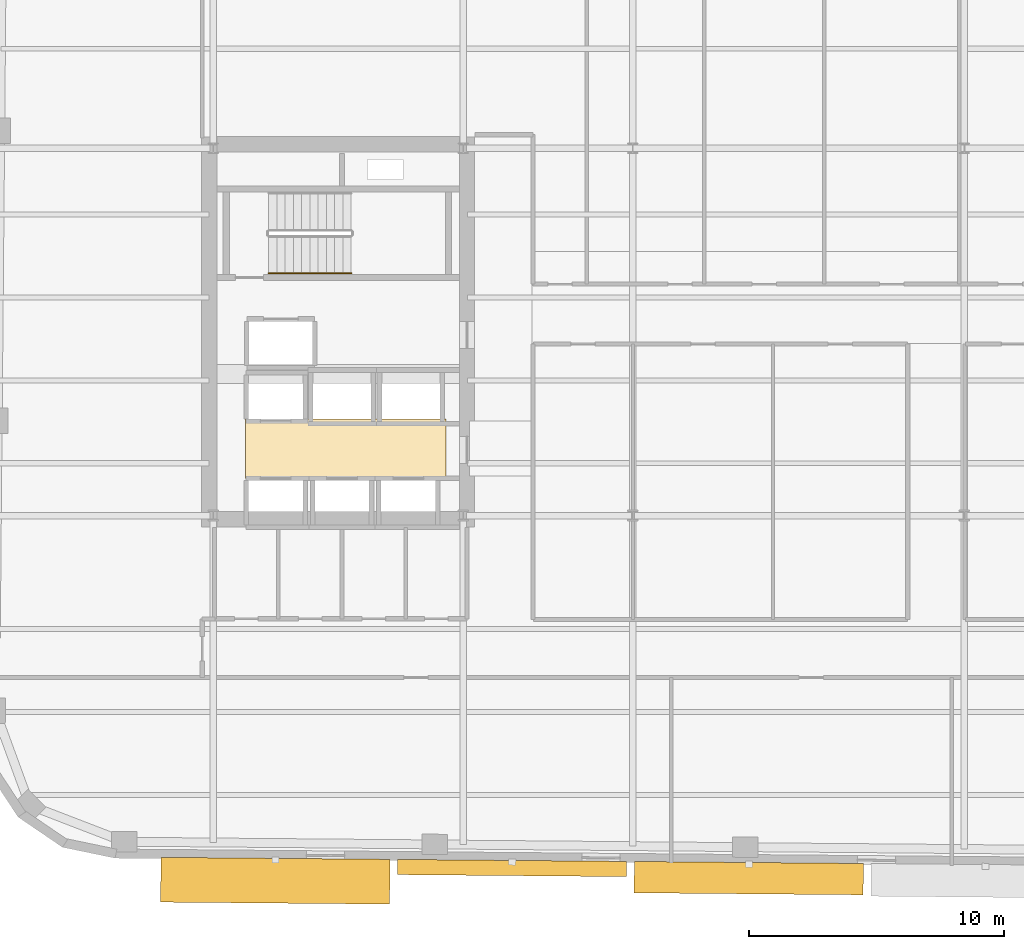
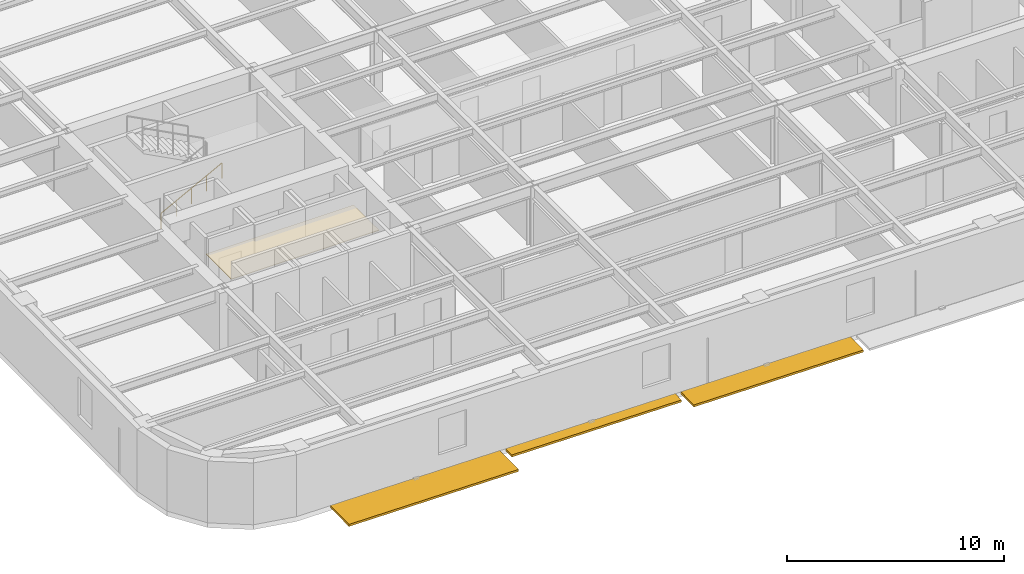
# One storey, part 8 of 11: 3 shading devices, 1 covering, 1 railing.
"""IFC4 building model written with IfcOpenShell, lengths in metres."""

from ifc_helpers import new_model, si_unit, direction, frame, origin, origin_2d, place, context, subcontext, project, spatial, polyline, rectangle, circle, outline, extrude, material, layer, layer_set, type_object, element, save


model = new_model("IFC4")

# Units and contexts
model_context = context("Model", 3, precision=1e-05, world=origin(), true_north=direction((0.0, 1.0)))
body_context = subcontext(model_context, "Body", "Model", "MODEL_VIEW")
ifc_project = project(units=[si_unit("LENGTHUNIT", "METRE"), si_unit("AREAUNIT", "SQUARE_METRE"), si_unit("VOLUMEUNIT", "CUBIC_METRE"), si_unit("PLANEANGLEUNIT", "RADIAN"), si_unit("MASSUNIT", "GRAM", prefix="KILO")], contexts=[model_context])

# Site, building, storey
site_placement = place(None, origin())
site = spatial("IfcSite", under=ifc_project, at=site_placement, CompositionType="ELEMENT")
building_placement = place(site_placement, origin())
building = spatial("IfcBuilding", under=site, at=building_placement, Name="Kolvaren Arena Tower", CompositionType="ELEMENT")
storey_placement = place(building_placement, frame((0.0, 0.0, 184.699951171875)))
storey = spatial("IfcBuildingStorey", under=building, at=storey_placement, Name="L44", CompositionType="ELEMENT", Elevation=184.699951171875)

# Covering
ifc_material_1 = material(Name="Moisture-resistant gypsum ceiling", Category="gypsum")
ifc_layer = layer(ifc_material_1, 0.030029296875)
ifc_layer_set = layer_set([ifc_layer], Name="Moisture-resistant gypsum ceiling")
covering_type = type_object("IfcCoveringType", Name="CEIL-GYP-1", PredefinedType="CEILING", material=ifc_layer_set)
covering_placement = place(storey_placement, frame((0.0, 0.0, 2.52001953125)))
element("IfcCovering", 1, at=covering_placement, inside=storey, type_object=covering_type, Name="Suspended Ceiling (L44)", PredefinedType="CEILING", context=body_context, shape_type="SweptSolid", body=[
    extrude(outline(polyline([(15.820068359375, 20.89990234375), (15.820068359375, 23.239990234375), (23.679931640625, 23.239990234375), (23.679931640625, 20.89990234375), (15.820068359375, 20.89990234375)])), origin(), (0.0, 0.0, 1.0), 0.030029296875),
])

# Railing
ifc_material_2 = material(Name="Brushed stainless steel handrail", Category="steel")
railing_type = type_object("IfcRailingType", Name="HRAIL-900", PredefinedType="HANDRAIL", material=ifc_material_2)
railing_placement = place(storey_placement, frame((16.719970703125, 28.949951171875, 0.17041015625)))
element("IfcRailing", 2, at=railing_placement, inside=storey, type_object=railing_type, Name="L44 ST-W1 stair handrail 1", PredefinedType="HANDRAIL", context=body_context, shape_type="SweptSolid", body=[
    extrude(circle(Radius=0.02392578125, at=origin_2d()), frame((0.0, 0.0, 0.8759765625), z_axis=(0.884993431791, 0.0, 0.465603506952), x_axis=(0.0, 1.0, 0.0)), (0.0, 0.0, 1.0), 3.6611328125),
    extrude(circle(Radius=0.02099609375, at=origin_2d()), origin(), (0.0, 0.0, 1.0), 0.851806640625),
    extrude(circle(Radius=0.02099609375, at=origin_2d()), frame((0.81005859375, 0.0, 0.42626953125)), (0.0, 0.0, 1.0), 0.851806640625),
    extrude(circle(Radius=0.02099609375, at=origin_2d()), frame((1.6201171875, 0.0, 0.852294921875)), (0.0, 0.0, 1.0), 0.851806640625),
    extrude(circle(Radius=0.02099609375, at=origin_2d()), frame((2.429931640625, 0.0, 1.2783203125)), (0.0, 0.0, 1.0), 0.851806640625),
    extrude(circle(Radius=0.02099609375, at=origin_2d()), frame((3.239990234375, 0.0, 1.70458984375)), (0.0, 0.0, 1.0), 0.851806640625),
])

# Shading devices
ifc_material_3 = material(Name="Architectural precast GFRC and anodised aluminium sunshade", Category="concrete")
shading_device_type_1 = type_object("IfcShadingDeviceType", Name="SHAD-SINE-A", PredefinedType="USERDEFINED", material=ifc_material_3)
shading_device_1_placement = place(storey_placement, frame((35.546142578125, 5.234375, -0.139892578125), z_axis=(0.0, 0.0, 1.0), x_axis=(-0.999961923064, 0.008726535498, 0.0)))
element("IfcShadingDevice", 3, at=shading_device_1_placement, inside=storey, type_object=shading_device_type_1, Name="Sinusoidal Slab-Edge Sunshade Louvre (L44)", ObjectType="LOUVRE", PredefinedType="USERDEFINED", context=body_context, shape_type="SweptSolid", body=[
    extrude(rectangle(XDim=8.97998046875, YDim=1.23046875, at=origin_2d()), origin(), (0.0, 0.0, 1.0), 0.1201171875),
])
shading_device_2_placement = place(storey_placement, frame((26.269287109375, 5.631591796875, -0.139892578125), z_axis=(0.0, 0.0, 1.0), x_axis=(-0.999961923064, 0.008726535498, 0.0)))
element("IfcShadingDevice", 4, at=shading_device_2_placement, inside=storey, type_object=shading_device_type_1, Name="Sinusoidal Slab-Edge Sunshade Louvre (L44)", ObjectType="LOUVRE", PredefinedType="USERDEFINED", context=body_context, shape_type="SweptSolid", body=[
    extrude(rectangle(XDim=8.97998046875, YDim=0.59765625, at=origin_2d()), origin(), (0.0, 0.0, 1.0), 0.1201171875),
])
shading_device_type_2 = type_object("IfcShadingDeviceType", Name="SHAD-SINE-B", PredefinedType="JALOUSIE", material=ifc_material_3)
shading_device_3_placement = place(storey_placement, frame((16.984619140625, 5.13330078125, -0.139892578125), z_axis=(0.0, 0.0, 1.0), x_axis=(-0.999961923064, 0.008726535498, 0.0)))
element("IfcShadingDevice", 5, at=shading_device_3_placement, inside=storey, type_object=shading_device_type_2, Name="Sinusoidal Slab-Edge Sunshade Louvre (L44)", PredefinedType="JALOUSIE", context=body_context, shape_type="SweptSolid", body=[
    extrude(rectangle(XDim=8.97998046875, YDim=1.756103515625, at=origin_2d()), origin(), (0.0, 0.0, 1.0), 0.1201171875),
])

save(model, "model.ifc")
